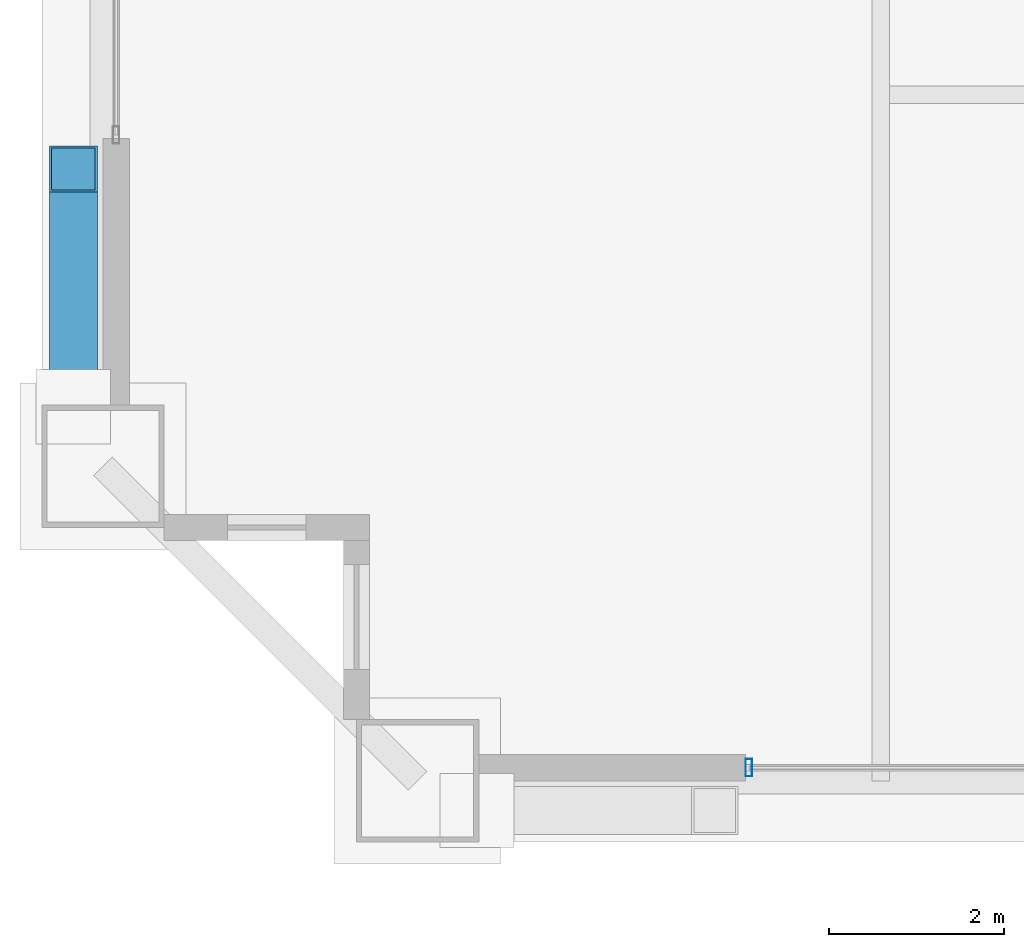
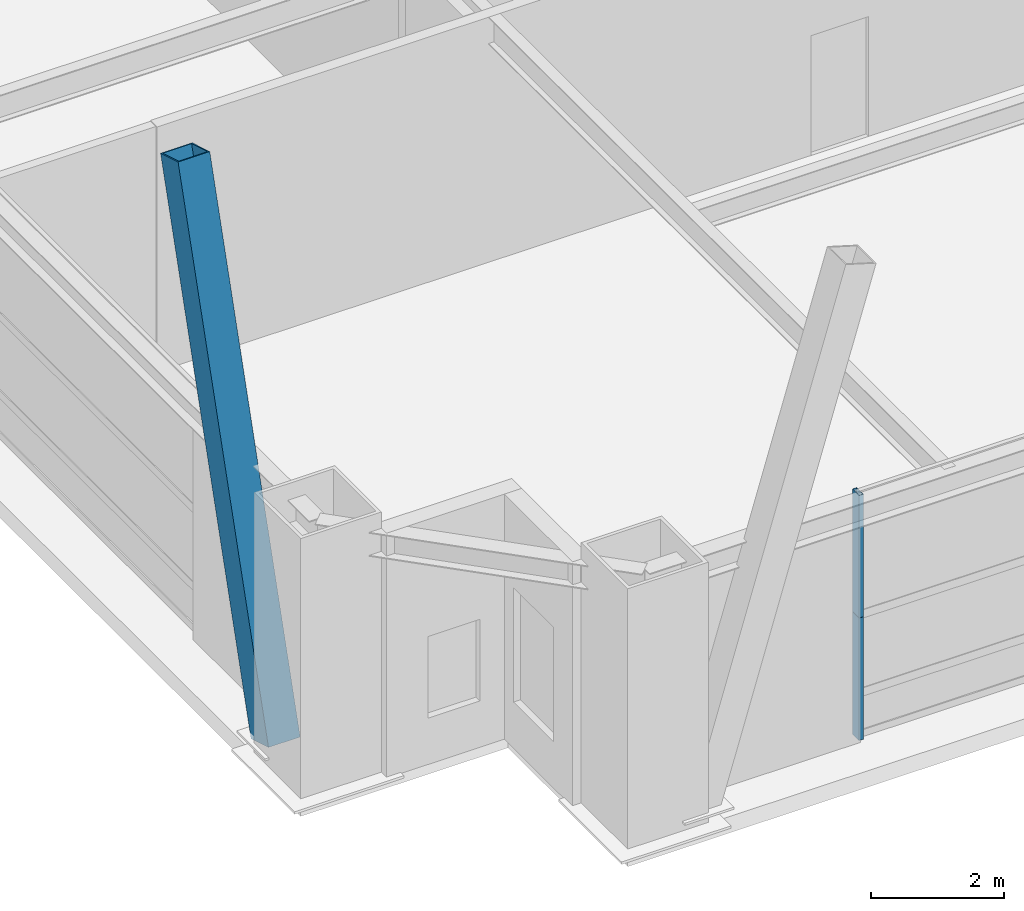
# One storey, part 4 of 34: 3 members, 1 element without a shape of its own.
"""IFC4 building model written with IfcOpenShell, lengths in metres."""

from ifc_helpers import new_model, si_unit, direction, frame, origin, origin_2d, place, context, subcontext, project, spatial, hollow_rectangle, extrude, source, transform, mapped, material, layer, layer_set, material_profile, profile_set, type_object, element, aggregate, save


model = new_model("IFC4")

# Units and contexts
model_context = context("Model", 3, precision=1e-05, world=origin(), true_north=direction((0.0, 1.0)))
body_context = subcontext(model_context, "Body", "Model", "MODEL_VIEW")
ifc_project = project(units=[si_unit("LENGTHUNIT", "METRE"), si_unit("AREAUNIT", "SQUARE_METRE"), si_unit("VOLUMEUNIT", "CUBIC_METRE"), si_unit("PLANEANGLEUNIT", "RADIAN"), si_unit("MASSUNIT", "GRAM", prefix="KILO"), si_unit("THERMODYNAMICTEMPERATUREUNIT", "KELVIN"), si_unit("POWERUNIT", "WATT")], contexts=[model_context])

# Site, building, storey
site_placement = place(None, origin())
site = spatial("IfcSite", under=ifc_project, at=site_placement, CompositionType="ELEMENT")
building_placement = place(site_placement, origin())
building = spatial("IfcBuilding", under=site, at=building_placement, Name="Yuzanri Waterfront Tower", CompositionType="ELEMENT")
storey_placement = place(building_placement, frame((0.0, 0.0, 166.800048828125)))
storey = spatial("IfcBuildingStorey", under=building, at=storey_placement, Name="L44", CompositionType="ELEMENT", Elevation=166.800048828125)

# Member
ifc_material_1 = material(Name="Steel Q390GJC", Category="steel")
ifc_material_profile_1 = material_profile(ifc_material_1, hollow_rectangle(XDim=0.550048828125, YDim=0.550048828125, WallThickness=0.02490234375, at=origin_2d()), Name="RHS 550x550x25")
ifc_profile_set_1 = profile_set([ifc_material_profile_1], Name="Steel Q390GJC")
member_type_1 = type_object("IfcMemberType", Name="Mega Brace Mid Q390GJC RHS 550x550x25", PredefinedType="BRACE", material=ifc_profile_set_1)
shared_shape_1 = source(origin(), body_context, "Body", "SweptSolid", [
    extrude(hollow_rectangle(XDim=0.550048828125, YDim=0.550048828125, WallThickness=0.02490234375, at=origin_2d()), origin(), (0.0, 0.0, 1.0), 9.497802734375),
])
member_1_placement = place(storey_placement, frame((14.56005859375, 7.97998046875, 0.179931640625), z_axis=(0.0, 0.286376146952, 0.958117269679), x_axis=(-1.0, 0.0, 0.0)))
element("IfcMember", 1, at=member_1_placement, inside=storey, type_object=member_type_1, Name="L44-L45 Perimeter Mega-Brace W-L", PredefinedType="BRACE", context=body_context, shape_type="MappedRepresentation", body=[
    mapped(shared_shape_1, transform((0.0, 0.0, 0.0), scale=1.0)),
])

# Curtain wall, members
ifc_material_2 = material(Name="Anodized Architectural Bronze", Category="metal")
ifc_layer = layer(ifc_material_2, 0.159912109375)
ifc_layer_set = layer_set([ifc_layer], Name="Anodized Architectural Bronze")
curtain_wall_type = type_object("IfcCurtainWallType", Name="Anodized Bronze Sky-Lobby Triple-Glazed Feature Curtain Wall 7500", PredefinedType="NOTDEFINED", material=ifc_layer_set)
curtain_wall_placement = place(storey_placement, origin())
curtain_wall = element("IfcCurtainWall", 2, at=curtain_wall_placement, inside=storey, type_object=curtain_wall_type, Name="L44 Curtain Wall CW-L44-SL1", PredefinedType="NOTDEFINED")
ifc_material_3 = material(Name="Anodized Architectural Bronze", Category="metal")
ifc_material_profile_2 = material_profile(ifc_material_3, hollow_rectangle(XDim=0.074951171875, YDim=0.199951171875, WallThickness=0.00390625, at=origin_2d()), Name="CWM 75x200")
ifc_profile_set_2 = profile_set([ifc_material_profile_2], Name="Anodized Architectural Bronze")
member_type_2 = type_object("IfcMemberType", Name="Anodized Bronze Primary Curtain-Wall Mullion 75x200", PredefinedType="MULLION", material=ifc_profile_set_2)
shared_shape_2 = source(origin(), body_context, "Body", "SweptSolid", [
    extrude(hollow_rectangle(XDim=0.074951171875, YDim=0.199951171875, WallThickness=0.00390625, at=origin_2d()), origin(), (0.0, 0.0, 1.0), 2.248046875),
])
member_2_placement = place(storey_placement, frame((22.2900390625, 3.85009765625, 0.0), z_axis=(0.0, 0.0, 1.0), x_axis=(1.0, 0.0, 0.0)))
member_2 = element("IfcMember", 3, at=member_2_placement, type_object=member_type_2, Name="CW-L44-SL1 Lower Mullion 00", PredefinedType="MULLION", context=body_context, shape_type="MappedRepresentation", body=[
    mapped(shared_shape_2, transform((0.0, 0.0, 0.0), scale=1.0)),
])
member_3_placement = place(storey_placement, frame((22.2900390625, 3.85009765625, 2.251953125), z_axis=(0.0, 0.0, 1.0), x_axis=(1.0, 0.0, 0.0)))
member_3 = element("IfcMember", 4, at=member_3_placement, type_object=member_type_2, Name="CW-L44-SL1 Upper Mullion 00", PredefinedType="MULLION", context=body_context, shape_type="MappedRepresentation", body=[
    mapped(shared_shape_2, transform((0.0, 0.0, 0.0), scale=1.0)),
])
aggregate(curtain_wall, [member_2, member_3])

save(model, "model.ifc")
